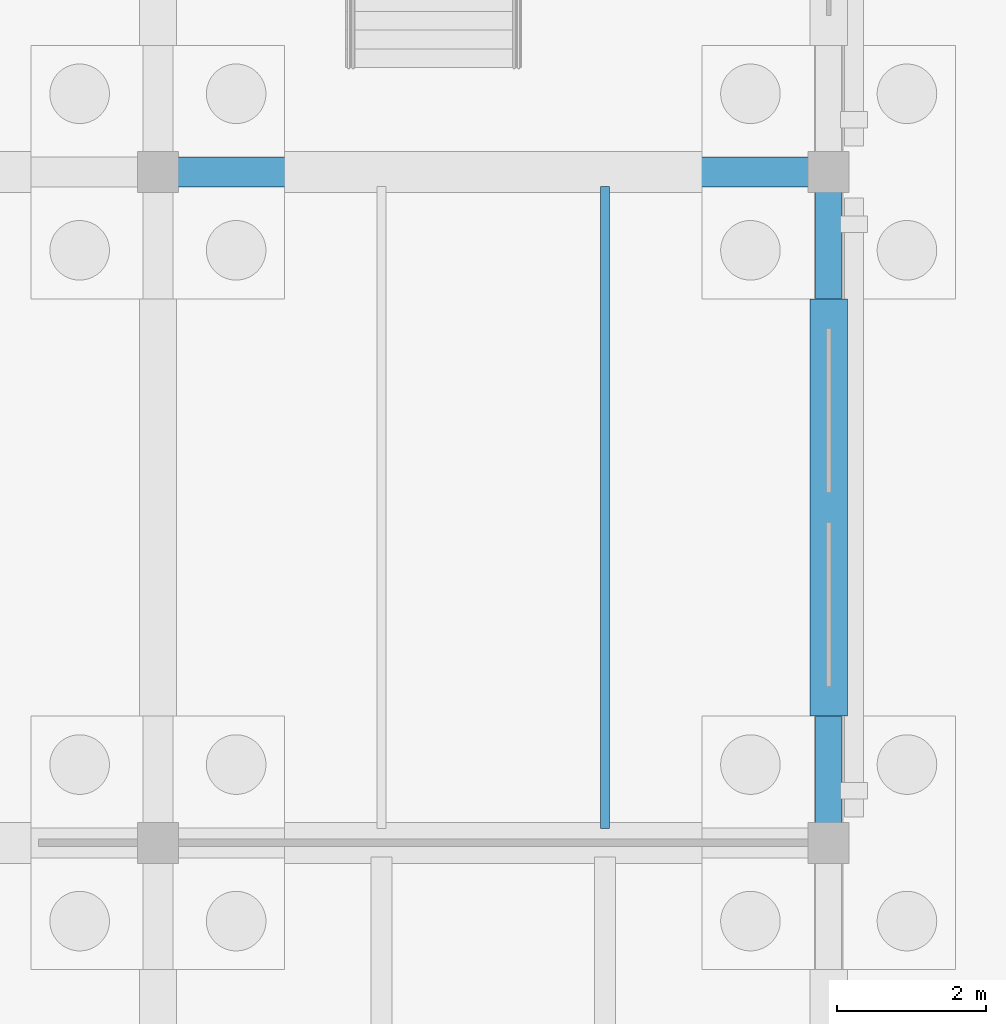
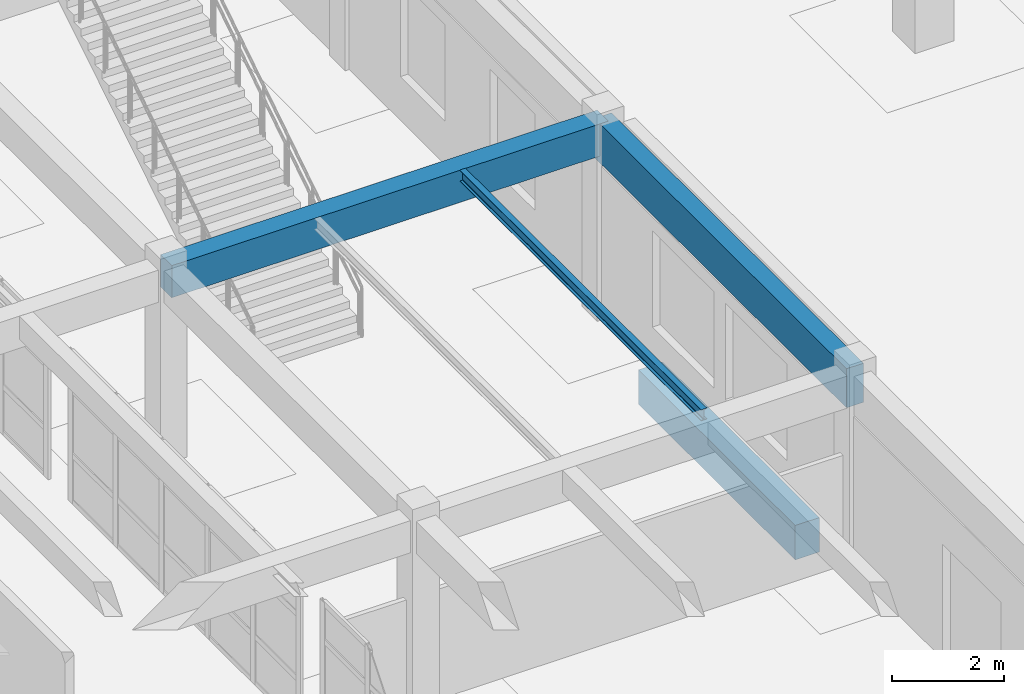
# One storey, part 42 of 186: 4 beams.
"""IFC4 building model written with IfcOpenShell, lengths in metres."""

from ifc_helpers import new_model, si_unit, direction, frame, origin, origin_2d, place, context, subcontext, project, spatial, rectangle, i_section, extrude, material, material_profile, profile_set, type_object, element, save


model = new_model("IFC4")

# Units and contexts
model_context = context("Model", 3, precision=1e-05, world=origin(), true_north=direction((0.0, 1.0)))
body_context = subcontext(model_context, "Body", "Model", "MODEL_VIEW")
ifc_project = project(units=[si_unit("LENGTHUNIT", "METRE"), si_unit("AREAUNIT", "SQUARE_METRE"), si_unit("VOLUMEUNIT", "CUBIC_METRE"), si_unit("PLANEANGLEUNIT", "RADIAN"), si_unit("MASSUNIT", "GRAM", prefix="KILO")], contexts=[model_context])

# Site, building, storey
site_placement = place(None, origin())
site = spatial("IfcSite", under=ifc_project, at=site_placement, CompositionType="ELEMENT")
building_placement = place(site_placement, origin())
building = spatial("IfcBuilding", under=site, at=building_placement, Name="Ornek Quay Market", CompositionType="ELEMENT")
storey_placement = place(building_placement, origin())
storey = spatial("IfcBuildingStorey", under=building, at=storey_placement, Name="L00", CompositionType="ELEMENT", Elevation=0.0)

# Beams
ifc_material_1 = material(Name="Concrete C35/45", Category="concrete")
ifc_material_profile_1 = material_profile(ifc_material_1, rectangle(XDim=0.5, YDim=0.75, at=origin_2d()), Name="RC 500x750", Category="concrete")
ifc_profile_set_1 = profile_set([ifc_material_profile_1], Name="Concrete C35/45")
beam_type_1 = type_object("IfcBeamType", Name="BM-GB-500x750", PredefinedType="BEAM", material=ifc_profile_set_1)
beam_1_placement = place(storey_placement, frame((27.0, 48.699951171875, -0.574951171875), z_axis=(0.0, 1.0, 0.0), x_axis=(-1.0, 0.0, 0.0)))
element("IfcBeam", 1, at=beam_1_placement, inside=storey, type_object=beam_type_1, Name="Ground tie beam GB-080", PredefinedType="BEAM", context=body_context, shape_type="SweptSolid", body=[
    extrude(rectangle(XDim=0.5, YDim=0.75, at=origin_2d()), origin(), (0.0, 0.0, 1.0), 5.60009765625),
])
ifc_material_2 = material(Name="Concrete C40/50", Category="concrete")
ifc_material_profile_2 = material_profile(ifc_material_2, rectangle(XDim=0.35009765625, YDim=0.85009765625, at=origin_2d()), Name="RC 350x850", Category="concrete")
ifc_profile_set_2 = profile_set([ifc_material_profile_2], Name="Concrete C40/50")
beam_type_2 = type_object("IfcBeamType", Name="BM-SPN-350x850", PredefinedType="SPANDREL", material=ifc_profile_set_2)
beam_2_placement = place(storey_placement, frame((27.0, 47.0, 3.794921875), z_axis=(0.0, 1.0, 0.0), x_axis=(-1.0, 0.0, 0.0)))
element("IfcBeam", 2, at=beam_2_placement, inside=storey, type_object=beam_type_2, Name="Primary beam B-SP1-063", PredefinedType="SPANDREL", context=body_context, shape_type="SweptSolid", body=[
    extrude(rectangle(XDim=0.35009765625, YDim=0.85009765625, at=origin_2d()), origin(), (0.0, 0.0, 1.0), 9.0),
])
ifc_material_3 = material(Name="Steel S355", Category="steel")
ifc_material_profile_3 = material_profile(ifc_material_3, i_section(OverallWidth=0.1201171875, OverallDepth=0.239990234375, WebThickness=0.006103515625, FlangeThickness=0.009765625, FilletRadius=0.014892578125, at=origin_2d()), Name="IPE 240", Category="steel")
ifc_profile_set_3 = profile_set([ifc_material_profile_3], Name="Steel S355")
beam_type_3 = type_object("IfcBeamType", Name="BM-STL-IPE240", PredefinedType="JOIST", material=ifc_profile_set_3)
beam_3_placement = place(storey_placement, frame((24.0, 47.19189453125, 4.10009765625), z_axis=(0.0, 1.0, 0.0), x_axis=(-1.0, 0.0, 0.0)))
element("IfcBeam", 3, at=beam_3_placement, inside=storey, type_object=beam_type_3, Name="Secondary joist SB-04-014", PredefinedType="JOIST", context=body_context, shape_type="SweptSolid", body=[
    extrude(i_section(OverallWidth=0.1201171875, OverallDepth=0.239990234375, WebThickness=0.006103515625, FlangeThickness=0.009765625, FilletRadius=0.014892578125, at=origin_2d()), origin(), (0.0, 0.0, 1.0), 8.6162109375),
])
ifc_material_profile_4 = material_profile(ifc_material_1, rectangle(XDim=0.39990234375, YDim=0.699951171875, at=origin_2d()), Name="RC 400x700", Category="concrete")
ifc_profile_set_4 = profile_set([ifc_material_profile_4], Name="Concrete C35/45")
beam_type_4 = type_object("IfcBeamType", Name="BM-WW-400x700", PredefinedType="BEAM", material=ifc_profile_set_4)
beam_4_placement = place(storey_placement, frame((18.0, 56.0, 3.8701171875), z_axis=(1.0, 0.0, 0.0), x_axis=(0.0, 1.0, 0.0)))
element("IfcBeam", 4, at=beam_4_placement, inside=storey, type_object=beam_type_4, Name="Primary beam B-WW1-012", PredefinedType="BEAM", context=body_context, shape_type="SweptSolid", body=[
    extrude(rectangle(XDim=0.39990234375, YDim=0.699951171875, at=origin_2d()), origin(), (0.0, 0.0, 1.0), 9.0),
])

save(model, "model.ifc")
